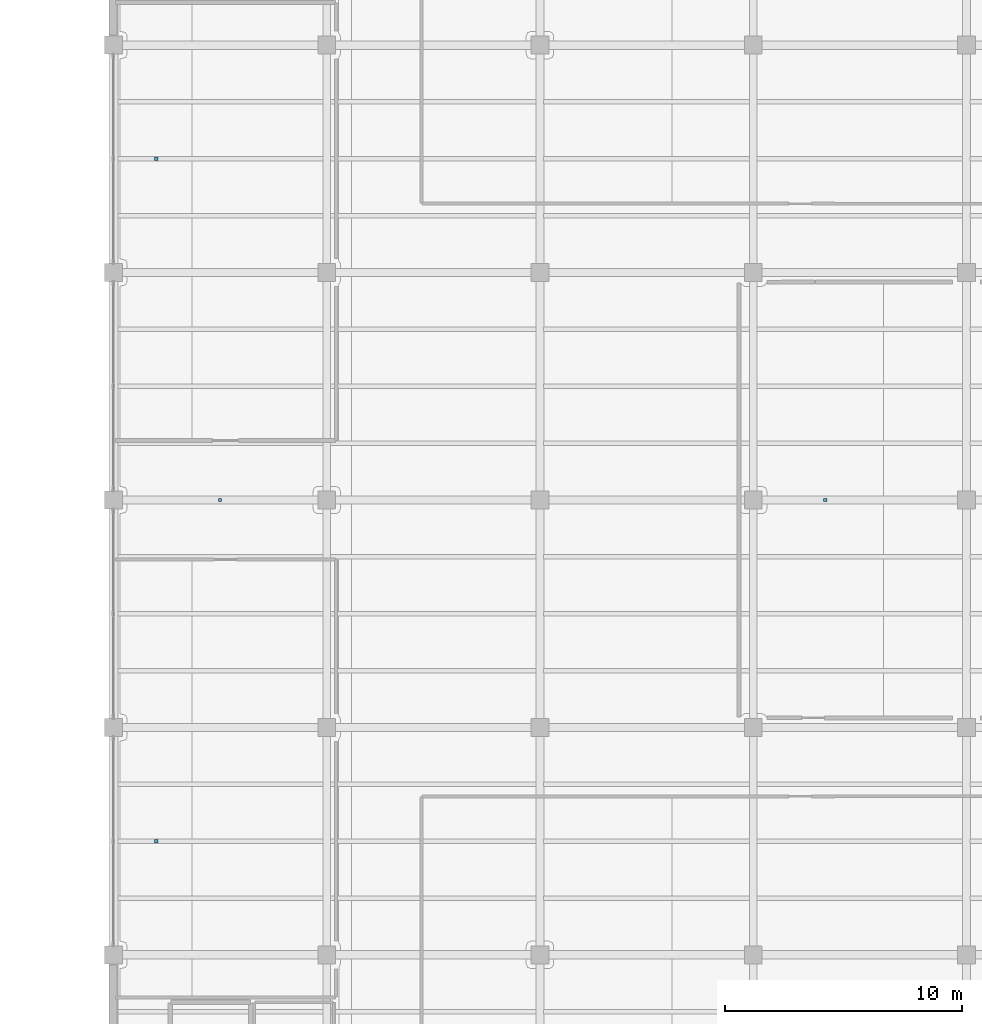
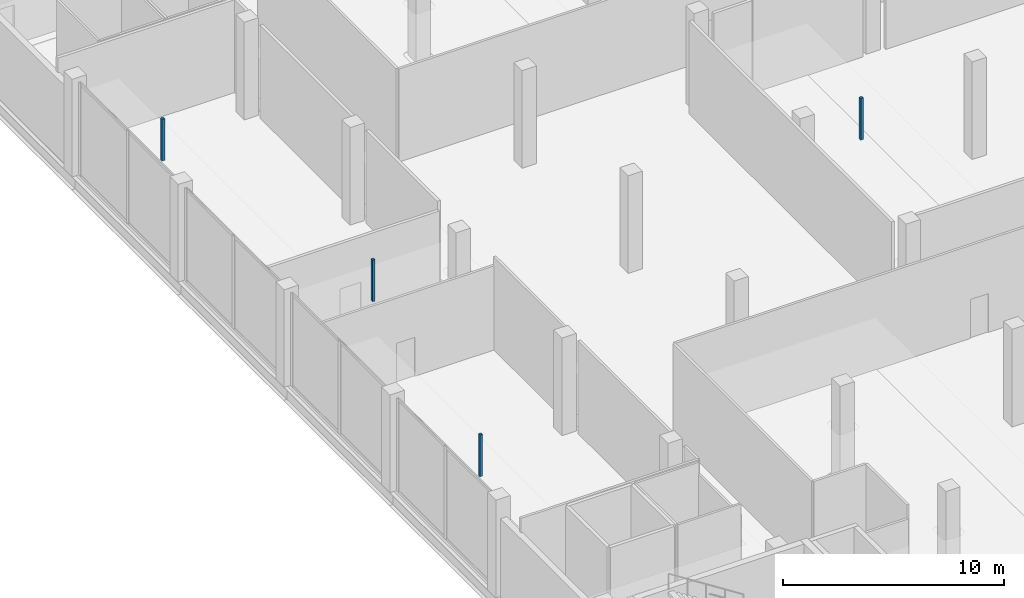
# One storey, part 38 of 47: 4 discrete accessories.
"""IFC4 building model written with IfcOpenShell, lengths in metres."""

from ifc_helpers import new_model, si_unit, direction, frame, origin, origin_2d, place, context, subcontext, project, spatial, rectangle, extrude, material, type_object, element, save


model = new_model("IFC4")

# Units and contexts
model_context = context("Model", 3, precision=1e-05, world=origin(), true_north=direction((0.0, 1.0)))
body_context = subcontext(model_context, "Body", "Model", "MODEL_VIEW")
ifc_project = project(units=[si_unit("LENGTHUNIT", "METRE"), si_unit("AREAUNIT", "SQUARE_METRE"), si_unit("VOLUMEUNIT", "CUBIC_METRE"), si_unit("PLANEANGLEUNIT", "RADIAN"), si_unit("MASSUNIT", "GRAM", prefix="KILO")], contexts=[model_context])

# Site, building, storey
site_placement = place(None, origin())
site = spatial("IfcSite", under=ifc_project, at=site_placement, CompositionType="ELEMENT")
building_placement = place(site_placement, origin())
building = spatial("IfcBuilding", under=site, at=building_placement, Name="Qorvath Tower", CompositionType="ELEMENT")
storey_placement = place(building_placement, frame((0.0, 0.0, 6.60009765625)))
storey = spatial("IfcBuildingStorey", under=building, at=storey_placement, Name="L01", CompositionType="ELEMENT", Elevation=6.60009765625)

# Discrete accessories
ifc_material = material(Name="Galvanised steel bracket", Category="steel")
discrete_accessory_type = type_object("IfcDiscreteAccessoryType", Name="DA-BRACKET", PredefinedType="BRACKET", material=ifc_material)
for number, where, z_axis, x_axis, name in (
    (1, (36.89990234375, 0.0, 2.85986328125), (0.0, 0.0, 1.0), (1.0, 0.0, 0.0), "Acoustic Ceiling Suspension Hanger LB-L01-005"),
    (2, (62.444091796875, 0.0, 2.85986328125), (0.0, 0.0, 1.0), (1.0, 0.0, 0.0), "Acoustic Ceiling Suspension Hanger LB-L01-008"),
    (3, (34.203369140625, 14.39990234375, 2.85986328125), (0.0, 0.0, 1.0), (1.0, 0.0, 0.0), "Acoustic Ceiling Suspension Hanger LB-L01-009"),
    (4, (34.203369140625, -14.39990234375, 2.85986328125), (0.0, 0.0, 1.0), (1.0, 0.0, 0.0), "Acoustic Ceiling Suspension Hanger LB-L01-010"),
):
    element("IfcDiscreteAccessory", number, at=place(storey_placement, frame(where, z_axis=z_axis, x_axis=x_axis)), inside=storey, type_object=discrete_accessory_type, Name=name, PredefinedType="NOTDEFINED", context=body_context, shape_type="SweptSolid", body=[
        extrude(rectangle(XDim=0.139892578125, YDim=0.139892578125, at=origin_2d()), origin(), (0.0, 0.0, 1.0), 2.31005859375),
    ])

save(model, "model.ifc")
